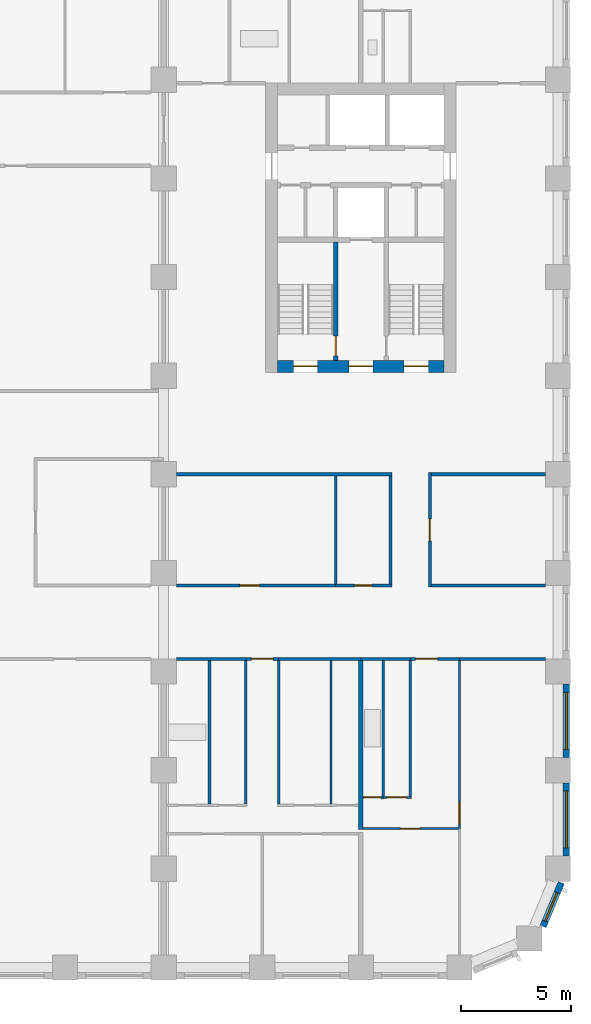
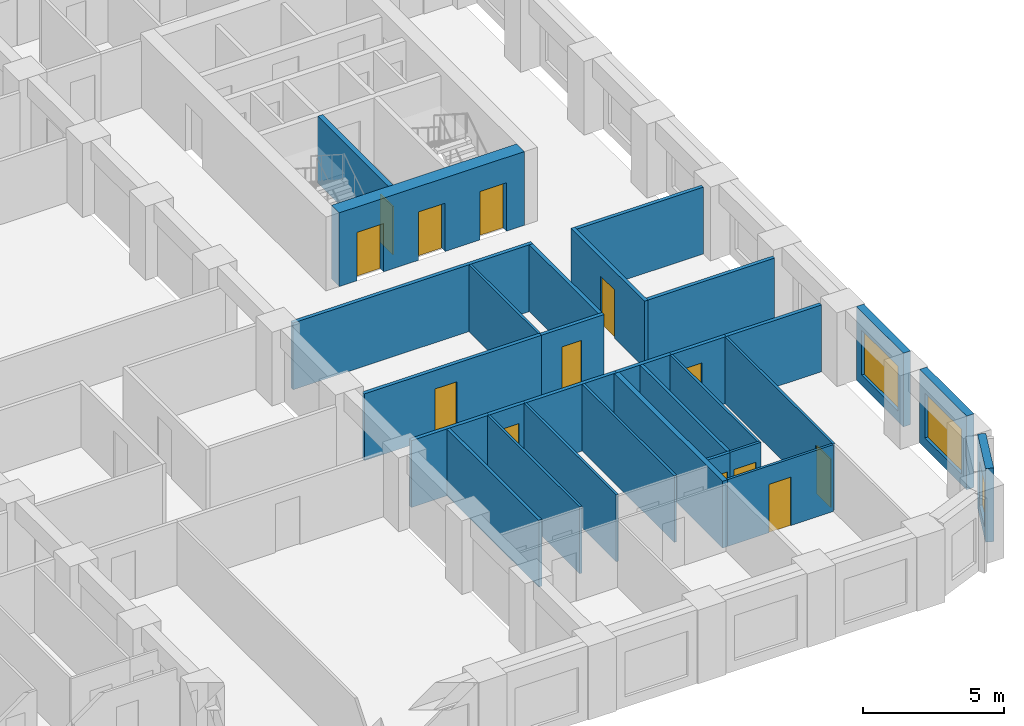
# One storey, part 5 of 12: 30 walls, 13 doors, 3 windows, 16 openings.
"""IFC4 building model written with IfcOpenShell, lengths in metres."""

from ifc_helpers import new_model, si_unit, direction, frame, frame_2d, origin, place, context, subcontext, project, spatial, rectangle, extrude, material, layer, layer_set, type_object, element, fill, save


model = new_model("IFC4")

# Units and contexts
model_context = context("Model", 3, precision=1e-05, world=origin(), true_north=direction((0.0, 1.0)))
body_context = subcontext(model_context, "Body", "Model", "MODEL_VIEW")
ifc_project = project(units=[si_unit("LENGTHUNIT", "METRE"), si_unit("AREAUNIT", "SQUARE_METRE"), si_unit("VOLUMEUNIT", "CUBIC_METRE"), si_unit("PLANEANGLEUNIT", "RADIAN"), si_unit("MASSUNIT", "GRAM", prefix="KILO")], contexts=[model_context])

# Site, building, storey
site_placement = place(None, origin())
site = spatial("IfcSite", under=ifc_project, at=site_placement, CompositionType="ELEMENT")
building_placement = place(site_placement, origin())
building = spatial("IfcBuilding", under=site, at=building_placement, Name="Girih Gate Residences", CompositionType="ELEMENT")
storey_placement = place(building_placement, frame((0.0, 0.0, 115.199951171875)))
storey = spatial("IfcBuildingStorey", under=building, at=storey_placement, Name="L32", CompositionType="ELEMENT", Elevation=115.199951171875)

# Wall
ifc_material_1 = material(Name="Gypsum board on steel studs", Category="steel")
ifc_layer_1 = layer(ifc_material_1, 0.14990234375)
ifc_layer_set_1 = layer_set([ifc_layer_1], Name="Compartment wall 150 mm")
wall_type_1 = type_object("IfcWallType", Name="Compartment wall 150 mm", PredefinedType="PARTITIONING", material=ifc_layer_set_1)
wall_1_placement = place(storey_placement, frame((40.5, 14.074951171875, 0.0), z_axis=(0.0, 0.0, 1.0), x_axis=(1.0, 0.0, 0.0)))
element("IfcWall", 1, at=wall_1_placement, inside=storey, type_object=wall_type_1, Name="L32 partition", PredefinedType="PARTITIONING", context=body_context, shape_type="SweptSolid", body=[
    extrude(rectangle(XDim=2.25, YDim=0.14990234375, at=frame_2d((1.125, 0.0))), origin(), (0.0, 0.0, 1.0), 2.900146484375),
])

# Wall, opening, door
wall_2_placement = place(storey_placement, frame((45.0, 14.074951171875, 0.0), z_axis=(0.0, 0.0, 1.0), x_axis=(-1.0, 0.0, 0.0)))
wall_2 = element("IfcWall", 2, at=wall_2_placement, inside=storey, type_object=wall_type_1, Name="L32 partition", PredefinedType="PARTITIONING", context=body_context, shape_type="SweptSolid", body=[
    extrude(rectangle(XDim=2.25, YDim=0.14990234375, at=frame_2d((1.125, 0.0))), origin(), (0.0, 0.0, 1.0), 2.900146484375),
])
opening_1_placement = place(wall_2_placement, frame((1.0, 0.0, 0.0)))
opening_1 = element("IfcOpeningElement", 3, at=opening_1_placement, cuts=wall_2, Name="Opening A32-021", PredefinedType="OPENING", context=body_context, shape_type="SweptSolid", body=[
    extrude(rectangle(XDim=1.0, YDim=2.10009765625, at=frame_2d((0.5, 1.050048828125))), frame((0.0, 0.0849609375, 0.0), z_axis=(0.0, -1.0, 0.0), x_axis=(1.0, 0.0, 0.0)), (0.0, 0.0, 1.0), 0.169921875),
])
ifc_material_2 = material(Name="Timber, fire-rated core", Category="wood")
door_type_1 = type_object("IfcDoorType", Name="Flat entrance door 1000x2100 FD30S", OperationType="NOTDEFINED", PredefinedType="DOOR", material=ifc_material_2)
door_1_placement = place(opening_1_placement, origin())
door_1 = element("IfcDoor", 4, at=door_1_placement, inside=storey, type_object=door_type_1, Name="Door A32-021", OperationType="SINGLE_SWING_RIGHT", OverallHeight=2.10009765625, OverallWidth=1.0, PredefinedType="DOOR", context=body_context, shape_type="SweptSolid", body=[
    extrude(rectangle(XDim=1.0, YDim=2.10009765625, at=frame_2d((0.5, 1.050048828125))), frame((0.0, 0.02490234375, 0.0), z_axis=(0.0, -1.0, 0.0), x_axis=(1.0, 0.0, 0.0)), (0.0, 0.0, 1.0), 0.050048828125),
])
fill(opening_1, door_1)

# Walls
wall_3_placement = place(storey_placement, frame((45.0, 14.074951171875, 0.0), z_axis=(0.0, 0.0, 1.0), x_axis=(1.0, 0.0, 0.0)))
element("IfcWall", 5, at=wall_3_placement, inside=storey, type_object=wall_type_1, Name="L32 partition", PredefinedType="PARTITIONING", context=body_context, shape_type="SweptSolid", body=[
    extrude(rectangle(XDim=3.925048828125, YDim=0.14990234375, at=frame_2d((1.96240234375, 0.0))), origin(), (0.0, 0.0, 1.0), 2.900146484375),
])
wall_4_placement = place(storey_placement, frame((32.074951171875, 14.074951171875, 0.0), z_axis=(0.0, 0.0, 1.0), x_axis=(1.0, 0.0, 0.0)))
element("IfcWall", 6, at=wall_4_placement, inside=storey, type_object=wall_type_1, Name="L32 partition", PredefinedType="PARTITIONING", context=body_context, shape_type="SweptSolid", body=[
    extrude(rectangle(XDim=3.175048828125, YDim=0.14990234375, at=frame_2d((1.58740234375, 0.0))), origin(), (0.0, 0.0, 1.0), 2.900146484375),
])

# Wall, opening, door
wall_5_placement = place(storey_placement, frame((36.75, 14.074951171875, 0.0), z_axis=(0.0, 0.0, 1.0), x_axis=(-1.0, 0.0, 0.0)))
wall_5 = element("IfcWall", 7, at=wall_5_placement, inside=storey, type_object=wall_type_1, Name="L32 partition", PredefinedType="PARTITIONING", context=body_context, shape_type="SweptSolid", body=[
    extrude(rectangle(XDim=1.5, YDim=0.14990234375, at=frame_2d((0.75, 0.0))), origin(), (0.0, 0.0, 1.0), 2.900146484375),
])
opening_2_placement = place(wall_5_placement, frame((0.25, 0.0, 0.0)))
opening_2 = element("IfcOpeningElement", 8, at=opening_2_placement, cuts=wall_5, Name="Opening A32-028", PredefinedType="OPENING", context=body_context, shape_type="SweptSolid", body=[
    extrude(rectangle(XDim=1.0, YDim=2.10009765625, at=frame_2d((0.5, 1.050048828125))), frame((0.0, 0.0849609375, 0.0), z_axis=(0.0, -1.0, 0.0), x_axis=(1.0, 0.0, 0.0)), (0.0, 0.0, 1.0), 0.169921875),
])
door_2_placement = place(opening_2_placement, origin())
door_2 = element("IfcDoor", 9, at=door_2_placement, inside=storey, type_object=door_type_1, Name="Door A32-028", OperationType="SINGLE_SWING_RIGHT", OverallHeight=2.10009765625, OverallWidth=1.0, PredefinedType="DOOR", context=body_context, shape_type="SweptSolid", body=[
    extrude(rectangle(XDim=1.0, YDim=2.10009765625, at=frame_2d((0.5, 1.050048828125))), frame((0.0, 0.02490234375, 0.0), z_axis=(0.0, -1.0, 0.0), x_axis=(1.0, 0.0, 0.0)), (0.0, 0.0, 1.0), 0.050048828125),
])
fill(opening_2, door_2)

# Wall
wall_6_placement = place(storey_placement, frame((36.75, 14.074951171875, 0.0), z_axis=(0.0, 0.0, 1.0), x_axis=(1.0, 0.0, 0.0)))
element("IfcWall", 10, at=wall_6_placement, inside=storey, type_object=wall_type_1, Name="L32 partition", PredefinedType="PARTITIONING", context=body_context, shape_type="SweptSolid", body=[
    extrude(rectangle(XDim=3.75, YDim=0.14990234375, at=frame_2d((1.875, 0.0))), origin(), (0.0, 0.0, 1.0), 2.900146484375),
])

# Wall, opening, door
wall_7_placement = place(storey_placement, frame((32.074951171875, 17.425048828125, 0.0), z_axis=(0.0, 0.0, 1.0), x_axis=(1.0, 0.0, 0.0)))
wall_7 = element("IfcWall", 11, at=wall_7_placement, inside=storey, type_object=wall_type_1, Name="L32 partition", PredefinedType="PARTITIONING", context=body_context, shape_type="SweptSolid", body=[
    extrude(rectangle(XDim=7.275146484375, YDim=0.14990234375, at=frame_2d((3.6376953125, 0.0))), origin(), (0.0, 0.0, 1.0), 2.900146484375),
])
opening_3_placement = place(wall_7_placement, frame((2.89990234375, 0.0, 0.0)))
opening_3 = element("IfcOpeningElement", 12, at=opening_3_placement, cuts=wall_7, Name="Opening A32-048", PredefinedType="OPENING", context=body_context, shape_type="SweptSolid", body=[
    extrude(rectangle(XDim=0.89990234375, YDim=2.10009765625, at=frame_2d((0.449951171875, 1.050048828125))), frame((0.0, 0.0849609375, 0.0), z_axis=(0.0, -1.0, 0.0), x_axis=(1.0, 0.0, 0.0)), (0.0, 0.0, 1.0), 0.169921875),
])
ifc_material_3 = material(Name="Timber", Category="wood")
door_type_2 = type_object("IfcDoorType", Name="Service room door 900x2100", OperationType="NOTDEFINED", PredefinedType="DOOR", material=ifc_material_3)
door_3_placement = place(opening_3_placement, origin())
door_3 = element("IfcDoor", 13, at=door_3_placement, inside=storey, type_object=door_type_2, Name="Door A32-048", OperationType="SINGLE_SWING_LEFT", OverallHeight=2.10009765625, OverallWidth=0.89990234375, PredefinedType="DOOR", context=body_context, shape_type="SweptSolid", body=[
    extrude(rectangle(XDim=0.89990234375, YDim=2.10009765625, at=frame_2d((0.449951171875, 1.050048828125))), frame((0.0, 0.02490234375, 0.0), z_axis=(0.0, -1.0, 0.0), x_axis=(1.0, 0.0, 0.0)), (0.0, 0.0, 1.0), 0.050048828125),
])
fill(opening_3, door_3)

wall_8_placement = place(storey_placement, frame((39.35009765625, 17.425048828125, 0.0), z_axis=(0.0, 0.0, 1.0), x_axis=(1.0, 0.0, 0.0)))
wall_8 = element("IfcWall", 14, at=wall_8_placement, inside=storey, type_object=wall_type_1, Name="L32 partition", PredefinedType="PARTITIONING", context=body_context, shape_type="SweptSolid", body=[
    extrude(rectangle(XDim=2.574951171875, YDim=0.14990234375, at=frame_2d((1.28759765625, 0.0))), origin(), (0.0, 0.0, 1.0), 2.900146484375),
])
opening_4_placement = place(wall_8_placement, frame((0.85009765625, 0.0, 0.0)))
opening_4 = element("IfcOpeningElement", 15, at=opening_4_placement, cuts=wall_8, Name="Opening A32-050", PredefinedType="OPENING", context=body_context, shape_type="SweptSolid", body=[
    extrude(rectangle(XDim=0.800048828125, YDim=2.10009765625, at=frame_2d((0.39990234375, 1.050048828125))), frame((0.0, 0.0849609375, 0.0), z_axis=(0.0, -1.0, 0.0), x_axis=(1.0, 0.0, 0.0)), (0.0, 0.0, 1.0), 0.169921875),
])
door_type_3 = type_object("IfcDoorType", Name="Bathroom door 800x2100", OperationType="NOTDEFINED", PredefinedType="DOOR", material=ifc_material_3)
door_4_placement = place(opening_4_placement, origin())
door_4 = element("IfcDoor", 16, at=door_4_placement, inside=storey, type_object=door_type_3, Name="Door A32-050", OperationType="SINGLE_SWING_LEFT", OverallHeight=2.10009765625, OverallWidth=0.800048828125, PredefinedType="DOOR", context=body_context, shape_type="SweptSolid", body=[
    extrude(rectangle(XDim=0.800048828125, YDim=2.10009765625, at=frame_2d((0.39990234375, 1.050048828125))), frame((0.0, 0.02490234375, 0.0), z_axis=(0.0, -1.0, 0.0), x_axis=(1.0, 0.0, 0.0)), (0.0, 0.0, 1.0), 0.050048828125),
])
fill(opening_4, door_4)

# Walls
wall_9_placement = place(storey_placement, frame((43.72509765625, 17.425048828125, 0.0), z_axis=(0.0, 0.0, 1.0), x_axis=(1.0, 0.0, 0.0)))
element("IfcWall", 17, at=wall_9_placement, inside=storey, type_object=wall_type_1, Name="L32 partition", PredefinedType="PARTITIONING", context=body_context, shape_type="SweptSolid", body=[
    extrude(rectangle(XDim=5.199951171875, YDim=0.14990234375, at=frame_2d((2.60009765625, 0.0))), origin(), (0.0, 0.0, 1.0), 2.900146484375),
])
wall_10_placement = place(storey_placement, frame((32.074951171875, 22.5, 0.0), z_axis=(0.0, 0.0, 1.0), x_axis=(1.0, 0.0, 0.0)))
element("IfcWall", 18, at=wall_10_placement, inside=storey, type_object=wall_type_1, Name="L32 partition", PredefinedType="PARTITIONING", context=body_context, shape_type="SweptSolid", body=[
    extrude(rectangle(XDim=9.85009765625, YDim=0.14990234375, at=frame_2d((4.925048828125, 0.0))), origin(), (0.0, 0.0, 1.0), 2.900146484375),
])
wall_11_placement = place(storey_placement, frame((43.72509765625, 22.5, 0.0), z_axis=(0.0, 0.0, 1.0), x_axis=(1.0, 0.0, 0.0)))
element("IfcWall", 19, at=wall_11_placement, inside=storey, type_object=wall_type_1, Name="L32 partition", PredefinedType="PARTITIONING", context=body_context, shape_type="SweptSolid", body=[
    extrude(rectangle(XDim=5.199951171875, YDim=0.14990234375, at=frame_2d((2.60009765625, 0.0))), origin(), (0.0, 0.0, 1.0), 2.900146484375),
])
wall_12_placement = place(storey_placement, frame((41.85009765625, 17.5, 0.0), z_axis=(0.0, 0.0, 1.0), x_axis=(0.0, 1.0, 0.0)))
element("IfcWall", 20, at=wall_12_placement, inside=storey, type_object=wall_type_1, Name="L32 partition", PredefinedType="PARTITIONING", context=body_context, shape_type="SweptSolid", body=[
    extrude(rectangle(XDim=4.925048828125, YDim=0.14990234375, at=frame_2d((2.46240234375, 0.0))), origin(), (0.0, 0.0, 1.0), 2.900146484375),
])

# Wall, opening, door
wall_13_placement = place(storey_placement, frame((43.64990234375, 22.574951171875, 0.0), z_axis=(0.0, 0.0, 1.0), x_axis=(0.0, -1.0, 0.0)))
wall_13 = element("IfcWall", 21, at=wall_13_placement, inside=storey, type_object=wall_type_1, Name="L32 partition", PredefinedType="PARTITIONING", context=body_context, shape_type="SweptSolid", body=[
    extrude(rectangle(XDim=5.224853515625, YDim=0.14990234375, at=frame_2d((2.6123046875, 0.0))), origin(), (0.0, 0.0, 1.0), 2.900146484375),
])
opening_5_placement = place(wall_13_placement, frame((2.112548828125, 0.0, 0.0)))
opening_5 = element("IfcOpeningElement", 22, at=opening_5_placement, cuts=wall_13, Name="Opening A32-052", PredefinedType="OPENING", context=body_context, shape_type="SweptSolid", body=[
    extrude(rectangle(XDim=1.0, YDim=2.10009765625, at=frame_2d((0.5, 1.050048828125))), frame((0.0, 0.0849609375, 0.0), z_axis=(0.0, -1.0, 0.0), x_axis=(1.0, 0.0, 0.0)), (0.0, 0.0, 1.0), 0.169921875),
])
door_type_4 = type_object("IfcDoorType", Name="Amenity room door 1000x2100 FD30S", OperationType="NOTDEFINED", PredefinedType="DOOR", material=ifc_material_2)
door_5_placement = place(opening_5_placement, origin())
door_5 = element("IfcDoor", 23, at=door_5_placement, inside=storey, type_object=door_type_4, Name="Door A32-052", OperationType="SINGLE_SWING_RIGHT", OverallHeight=2.10009765625, OverallWidth=1.0, PredefinedType="DOOR", context=body_context, shape_type="SweptSolid", body=[
    extrude(rectangle(XDim=1.0, YDim=2.10009765625, at=frame_2d((0.5, 1.050048828125))), frame((0.0, 0.02490234375, 0.0), z_axis=(0.0, -1.0, 0.0), x_axis=(1.0, 0.0, 0.0)), (0.0, 0.0, 1.0), 0.050048828125),
])
fill(opening_5, door_5)

# Wall, openings, doors
ifc_material_4 = material(Name="Concrete C60/75", Category="concrete")
ifc_layer_2 = layer(ifc_material_4, 0.550048828125)
ifc_layer_set_2 = layer_set([ifc_layer_2], Name="Core wall RC 550 Concrete C60/75")
wall_type_2 = type_object("IfcWallType", Name="Core wall RC 550 Concrete C60/75", PredefinedType="SOLIDWALL", material=ifc_layer_set_2)
wall_14_placement = place(storey_placement, frame((36.699951171875, 27.425048828125, 0.0), z_axis=(0.0, 0.0, 1.0), x_axis=(1.0, 0.0, 0.0)))
wall_14 = element("IfcWall", 24, at=wall_14_placement, inside=storey, type_object=wall_type_2, Name="Core wall E-S L32", PredefinedType="SOLIDWALL", context=body_context, shape_type="SweptSolid", body=[
    extrude(rectangle(XDim=7.60009765625, YDim=0.550048828125, at=frame_2d((3.800048828125, 0.0))), origin(), (0.0, 0.0, 1.0), 3.199951171875),
])
opening_6_placement = place(wall_14_placement, frame((5.77490234375, 0.0, 0.0)))
opening_6 = element("IfcOpeningElement", 25, at=opening_6_placement, cuts=wall_14, Name="Opening D-L32-E-011", PredefinedType="OPENING", context=body_context, shape_type="SweptSolid", body=[
    extrude(rectangle(XDim=1.10009765625, YDim=2.10009765625, at=frame_2d((0.550048828125, 1.050048828125))), frame((0.0, 0.284912109375, 0.0), z_axis=(0.0, -1.0, 0.0), x_axis=(1.0, 0.0, 0.0)), (0.0, 0.0, 1.0), 0.570068359375),
])
opening_7_placement = place(wall_14_placement, frame((3.25, 0.0, 0.0)))
opening_7 = element("IfcOpeningElement", 26, at=opening_7_placement, cuts=wall_14, Name="Opening D-L32-E-012", PredefinedType="OPENING", context=body_context, shape_type="SweptSolid", body=[
    extrude(rectangle(XDim=1.10009765625, YDim=2.10009765625, at=frame_2d((0.550048828125, 1.050048828125))), frame((0.0, 0.284912109375, 0.0), z_axis=(0.0, -1.0, 0.0), x_axis=(1.0, 0.0, 0.0)), (0.0, 0.0, 1.0), 0.570068359375),
])
opening_8_placement = place(wall_14_placement, frame((0.72509765625, 0.0, 0.0)))
opening_8 = element("IfcOpeningElement", 27, at=opening_8_placement, cuts=wall_14, Name="Opening D-L32-E-013", PredefinedType="OPENING", context=body_context, shape_type="SweptSolid", body=[
    extrude(rectangle(XDim=1.10009765625, YDim=2.10009765625, at=frame_2d((0.550048828125, 1.050048828125))), frame((0.0, 0.284912109375, 0.0), z_axis=(0.0, -1.0, 0.0), x_axis=(1.0, 0.0, 0.0)), (0.0, 0.0, 1.0), 0.570068359375),
])
ifc_material_5 = material(Name="Painted steel, fire-resisting", Category="steel")
door_type_5 = type_object("IfcDoorType", Name="Fire door 1100x2100", OperationType="SINGLE_SWING_LEFT", PredefinedType="DOOR", material=ifc_material_5)
door_6_placement = place(opening_6_placement, origin())
door_6 = element("IfcDoor", 28, at=door_6_placement, inside=storey, type_object=door_type_5, Name="L32 E core door sta-out", OperationType="SINGLE_SWING_LEFT", OverallHeight=2.10009765625, OverallWidth=1.10009765625, PredefinedType="DOOR", context=body_context, shape_type="SweptSolid", body=[
    extrude(rectangle(XDim=1.10009765625, YDim=2.10009765625, at=frame_2d((0.550048828125, 1.050048828125))), frame((0.0, 0.02490234375, 0.0), z_axis=(0.0, -1.0, 0.0), x_axis=(1.0, 0.0, 0.0)), (0.0, 0.0, 1.0), 0.050048828125),
])
fill(opening_6, door_6)
door_7_placement = place(opening_7_placement, origin())
door_7 = element("IfcDoor", 29, at=door_7_placement, inside=storey, type_object=door_type_5, Name="L32 E core door ffl-out", OperationType="SINGLE_SWING_LEFT", OverallHeight=2.10009765625, OverallWidth=1.10009765625, PredefinedType="DOOR", context=body_context, shape_type="SweptSolid", body=[
    extrude(rectangle(XDim=1.10009765625, YDim=2.10009765625, at=frame_2d((0.550048828125, 1.050048828125))), frame((0.0, 0.02490234375, 0.0), z_axis=(0.0, -1.0, 0.0), x_axis=(1.0, 0.0, 0.0)), (0.0, 0.0, 1.0), 0.050048828125),
])
fill(opening_7, door_7)
door_8_placement = place(opening_8_placement, origin())
door_8 = element("IfcDoor", 30, at=door_8_placement, inside=storey, type_object=door_type_5, Name="L32 E core door stb-out", OperationType="SINGLE_SWING_LEFT", OverallHeight=2.10009765625, OverallWidth=1.10009765625, PredefinedType="DOOR", context=body_context, shape_type="SweptSolid", body=[
    extrude(rectangle(XDim=1.10009765625, YDim=2.10009765625, at=frame_2d((0.550048828125, 1.050048828125))), frame((0.0, 0.02490234375, 0.0), z_axis=(0.0, -1.0, 0.0), x_axis=(1.0, 0.0, 0.0)), (0.0, 0.0, 1.0), 0.050048828125),
])
fill(opening_8, door_8)

# Wall, opening, door
ifc_layer_3 = layer(ifc_material_1, 0.10009765625)
ifc_layer_set_3 = layer_set([ifc_layer_3], Name="Partition 100 mm")
wall_type_3 = type_object("IfcWallType", Name="Partition 100 mm", PredefinedType="PARTITIONING", material=ifc_layer_set_3)
wall_15_placement = place(storey_placement, frame((44.949951171875, 6.3349609375, 0.0), z_axis=(0.0, 0.0, 1.0), x_axis=(-1.0, 0.0, 0.0)))
wall_15 = element("IfcWall", 31, at=wall_15_placement, inside=storey, type_object=wall_type_3, Name="L32 partition", PredefinedType="PARTITIONING", context=body_context, shape_type="SweptSolid", body=[
    extrude(rectangle(XDim=4.349853515625, YDim=0.10009765625, at=frame_2d((2.1748046875, 0.0))), origin(), (0.0, 0.0, 1.0), 2.900146484375),
])
opening_9_placement = place(wall_15_placement, frame((1.75, 0.0, 0.0)))
opening_9 = element("IfcOpeningElement", 32, at=opening_9_placement, cuts=wall_15, Name="Opening A32-018", PredefinedType="OPENING", context=body_context, shape_type="SweptSolid", body=[
    extrude(rectangle(XDim=0.89990234375, YDim=2.10009765625, at=frame_2d((0.449951171875, 1.050048828125))), frame((0.0, 0.06005859375, 0.0), z_axis=(0.0, -1.0, 0.0), x_axis=(1.0, 0.0, 0.0)), (0.0, 0.0, 1.0), 0.1201171875),
])
door_type_6 = type_object("IfcDoorType", Name="Bedroom door 900x2100", OperationType="NOTDEFINED", PredefinedType="DOOR", material=ifc_material_3)
door_9_placement = place(opening_9_placement, origin())
door_9 = element("IfcDoor", 33, at=door_9_placement, inside=storey, type_object=door_type_6, Name="Door A32-018", OperationType="SINGLE_SWING_RIGHT", OverallHeight=2.10009765625, OverallWidth=0.89990234375, PredefinedType="DOOR", context=body_context, shape_type="SweptSolid", body=[
    extrude(rectangle(XDim=0.89990234375, YDim=2.10009765625, at=frame_2d((0.449951171875, 1.050048828125))), frame((0.0, 0.02490234375, 0.0), z_axis=(0.0, -1.0, 0.0), x_axis=(1.0, 0.0, 0.0)), (0.0, 0.0, 1.0), 0.050048828125),
])
fill(opening_9, door_9)

wall_16_placement = place(storey_placement, frame((41.522705078125, 7.7548828125, 0.0), z_axis=(0.0, 0.0, 1.0), x_axis=(1.0, 0.0, 0.0)))
wall_16 = element("IfcWall", 34, at=wall_16_placement, inside=storey, type_object=wall_type_3, Name="L32 partition", PredefinedType="PARTITIONING", context=body_context, shape_type="SweptSolid", body=[
    extrude(rectangle(XDim=1.27734375, YDim=0.10009765625, at=frame_2d((0.638671875, 0.0))), origin(), (0.0, 0.0, 1.0), 2.900146484375),
])
opening_10_placement = place(wall_16_placement, frame((0.16357421875, 0.0, 0.0)))
opening_10 = element("IfcOpeningElement", 35, at=opening_10_placement, cuts=wall_16, Name="Opening A32-019", PredefinedType="OPENING", context=body_context, shape_type="SweptSolid", body=[
    extrude(rectangle(XDim=0.89990234375, YDim=2.10009765625, at=frame_2d((0.449951171875, 1.050048828125))), frame((0.0, 0.06005859375, 0.0), z_axis=(0.0, -1.0, 0.0), x_axis=(1.0, 0.0, 0.0)), (0.0, 0.0, 1.0), 0.1201171875),
])
door_type_7 = type_object("IfcDoorType", Name="Kitchen door 900x2100", OperationType="NOTDEFINED", PredefinedType="DOOR", material=ifc_material_3)
door_10_placement = place(opening_10_placement, origin())
door_10 = element("IfcDoor", 36, at=door_10_placement, inside=storey, type_object=door_type_7, Name="Door A32-019", OperationType="SINGLE_SWING_LEFT", OverallHeight=2.10009765625, OverallWidth=0.89990234375, PredefinedType="DOOR", context=body_context, shape_type="SweptSolid", body=[
    extrude(rectangle(XDim=0.89990234375, YDim=2.10009765625, at=frame_2d((0.449951171875, 1.050048828125))), frame((0.0, 0.02490234375, 0.0), z_axis=(0.0, -1.0, 0.0), x_axis=(1.0, 0.0, 0.0)), (0.0, 0.0, 1.0), 0.050048828125),
])
fill(opening_10, door_10)

# Wall
wall_17_placement = place(storey_placement, frame((42.75, 7.804931640625, 0.0), z_axis=(0.0, 0.0, 1.0), x_axis=(0.0, 1.0, 0.0)))
element("IfcWall", 37, at=wall_17_placement, inside=storey, type_object=wall_type_3, Name="L32 partition", PredefinedType="PARTITIONING", context=body_context, shape_type="SweptSolid", body=[
    extrude(rectangle(XDim=6.195068359375, YDim=0.10009765625, at=frame_2d((3.09765625, 0.0))), origin(), (0.0, 0.0, 1.0), 2.900146484375),
])

# Wall, opening, door
wall_18_placement = place(storey_placement, frame((45.0, 14.0, 0.0), z_axis=(0.0, 0.0, 1.0), x_axis=(0.0, -1.0, 0.0)))
wall_18 = element("IfcWall", 38, at=wall_18_placement, inside=storey, type_object=wall_type_3, Name="L32 partition", PredefinedType="PARTITIONING", context=body_context, shape_type="SweptSolid", body=[
    extrude(rectangle(XDim=7.6650390625, YDim=0.10009765625, at=frame_2d((3.83251953125, 0.0))), origin(), (0.0, 0.0, 1.0), 2.900146484375),
])
opening_11_placement = place(wall_18_placement, frame((6.455078125, 0.0, 0.0)))
opening_11 = element("IfcOpeningElement", 39, at=opening_11_placement, cuts=wall_18, Name="Opening A32-020", PredefinedType="OPENING", context=body_context, shape_type="SweptSolid", body=[
    extrude(rectangle(XDim=1.0, YDim=2.10009765625, at=frame_2d((0.5, 1.050048828125))), frame((0.0, 0.06005859375, 0.0), z_axis=(0.0, -1.0, 0.0), x_axis=(1.0, 0.0, 0.0)), (0.0, 0.0, 1.0), 0.1201171875),
])
door_type_8 = type_object("IfcDoorType", Name="Living room door 1000x2100", OperationType="NOTDEFINED", PredefinedType="DOOR", material=ifc_material_3)
door_11_placement = place(opening_11_placement, origin())
door_11 = element("IfcDoor", 40, at=door_11_placement, inside=storey, type_object=door_type_8, Name="Door A32-020", OperationType="SINGLE_SWING_RIGHT", OverallHeight=2.10009765625, OverallWidth=1.0, PredefinedType="DOOR", context=body_context, shape_type="SweptSolid", body=[
    extrude(rectangle(XDim=1.0, YDim=2.10009765625, at=frame_2d((0.5, 1.050048828125))), frame((0.0, 0.02490234375, 0.0), z_axis=(0.0, -1.0, 0.0), x_axis=(1.0, 0.0, 0.0)), (0.0, 0.0, 1.0), 0.050048828125),
])
fill(opening_11, door_11)

# Walls
for number, where, z_axis, x_axis, name in (
    (41, (36.75, 7.445068359375, 0.0), (0.0, 0.0, 1.0), (0.0, 1.0, 0.0), "L32 partition"),
    (42, (35.25, 7.445068359375, 0.0), (0.0, 0.0, 1.0), (0.0, 1.0, 0.0), "L32 partition"),
    (43, (39.133056640625, 7.445068359375, 0.0), (0.0, 0.0, 1.0), (0.0, 1.0, 0.0), "L32 partition"),
):
    element("IfcWall", number, at=place(storey_placement, frame(where, z_axis=z_axis, x_axis=x_axis)), inside=storey, type_object=wall_type_3, Name=name, PredefinedType="PARTITIONING", context=body_context, shape_type="SweptSolid", body=[
        extrude(rectangle(XDim=6.554931640625, YDim=0.10009765625, at=frame_2d((3.27734375, 0.0))), origin(), (0.0, 0.0, 1.0), 2.900146484375),
    ])
wall_19_placement = place(storey_placement, frame((39.35009765625, 17.5, 0.0), z_axis=(0.0, 0.0, 1.0), x_axis=(0.0, 1.0, 0.0)))
element("IfcWall", 44, at=wall_19_placement, inside=storey, type_object=wall_type_3, Name="L32 partition", PredefinedType="PARTITIONING", context=body_context, shape_type="SweptSolid", body=[
    extrude(rectangle(XDim=4.925048828125, YDim=0.10009765625, at=frame_2d((2.46240234375, 0.0))), origin(), (0.0, 0.0, 1.0), 2.900146484375),
])
ifc_layer_4 = layer(ifc_material_1, 0.199951171875)
ifc_layer_set_4 = layer_set([ifc_layer_4], Name="Party wall 200 mm")
wall_type_4 = type_object("IfcWallType", Name="Party wall 200 mm", PredefinedType="PARTITIONING", material=ifc_layer_set_4)
wall_20_placement = place(storey_placement, frame((40.5, 6.284912109375, 0.0), z_axis=(0.0, 0.0, 1.0), x_axis=(0.0, 1.0, 0.0)))
element("IfcWall", 45, at=wall_20_placement, inside=storey, type_object=wall_type_4, Name="L32 partition", PredefinedType="PARTITIONING", context=body_context, shape_type="SweptSolid", body=[
    extrude(rectangle(XDim=7.715087890625, YDim=0.199951171875, at=frame_2d((3.857421875, 0.0))), origin(), (0.0, 0.0, 1.0), 2.900146484375),
])

# Wall, opening, window
ifc_material_6 = material(Name="Precast concrete C50/60", Category="concrete")
ifc_layer_5 = layer(ifc_material_6, 0.080078125, Name="Outer leaf")
ifc_material_7 = material(Name="Rigid PIR insulation")
ifc_layer_6 = layer(ifc_material_7, 0.14990234375, Name="Insulation")
ifc_material_8 = material(Name="Precast concrete C40/50", Category="concrete")
ifc_layer_7 = layer(ifc_material_8, 0.070068359375, Name="Inner leaf")
ifc_layer_set_5 = layer_set([ifc_layer_5, ifc_layer_6, ifc_layer_7], Name="Precast concrete C50/60 external wall 300")
wall_type_5 = type_object("IfcWallType", Name="Precast concrete C50/60 external wall 300", PredefinedType="SOLIDWALL", material=ifc_layer_set_5)
wall_21_placement = place(storey_placement, frame((49.64404296875, 3.86767578125, 0.0), z_axis=(0.0, 0.0, 1.0), x_axis=(-0.382723818695, -0.923862802911, 0.0)))
wall_21 = element("IfcWall", 46, at=wall_21_placement, inside=storey, type_object=wall_type_5, Name="External wall SE0482_0013.0", PredefinedType="SOLIDWALL", context=body_context, shape_type="SweptSolid", body=[
    extrude(rectangle(XDim=2.163818359375, YDim=0.300048828125, at=frame_2d((1.08203125, 0.0))), origin(), (0.0, 0.0, 1.0), 3.199951171875),
])
opening_12_placement = place(wall_21_placement, frame((0.492919921875, 0.0, 0.449951171875)))
opening_12 = element("IfcOpeningElement", 47, at=opening_12_placement, cuts=wall_21, Name="Opening W-2D", PredefinedType="OPENING", context=body_context, shape_type="SweptSolid", body=[
    extrude(rectangle(XDim=1.39990234375, YDim=1.949951171875, at=frame_2d((0.699951171875, 0.97509765625))), frame((0.0, 0.159912109375, 0.0), z_axis=(0.0, -1.0, 0.0), x_axis=(1.0, 0.0, 0.0)), (0.0, 0.0, 1.0), 0.320068359375),
])
ifc_material_9 = material(Name="Double glazing in aluminium frame", Category="aluminium")
window_type_1 = type_object("IfcWindowType", Name="Window W-2D 1400x1950", PartitioningType="SINGLE_PANEL", PredefinedType="WINDOW", material=ifc_material_9)
window_1_placement = place(opening_12_placement, origin())
window_1 = element("IfcWindow", 48, at=window_1_placement, inside=storey, type_object=window_type_1, Name="Window W-2D SE0482_0013.0", OverallHeight=1.949951171875, OverallWidth=1.39990234375, PartitioningType="SINGLE_PANEL", PredefinedType="WINDOW", context=body_context, shape_type="SweptSolid", body=[
    extrude(rectangle(XDim=1.39990234375, YDim=1.949951171875, at=frame_2d((0.699951171875, 0.97509765625))), frame((0.0, 0.030029296875, 0.0), z_axis=(0.0, -1.0, 0.0), x_axis=(1.0, 0.0, 0.0)), (0.0, 0.0, 1.0), 0.06005859375),
])
fill(opening_12, window_1)

wall_22_placement = place(storey_placement, frame((49.875, 8.425048828125, 0.0), z_axis=(0.0, 0.0, 1.0), x_axis=(0.0, -1.0, 0.0)))
wall_22 = element("IfcWall", 49, at=wall_22_placement, inside=storey, type_object=wall_type_5, Name="External wall E0495_0045.0", PredefinedType="SOLIDWALL", context=body_context, shape_type="SweptSolid", body=[
    extrude(rectangle(XDim=3.35009765625, YDim=0.300048828125, at=frame_2d((1.675048828125, 0.0))), origin(), (0.0, 0.0, 1.0), 3.199951171875),
])
opening_13_placement = place(wall_22_placement, frame((0.375, 0.0, 0.449951171875)))
opening_13 = element("IfcOpeningElement", 50, at=opening_13_placement, cuts=wall_22, Name="Opening W-1A", PredefinedType="OPENING", context=body_context, shape_type="SweptSolid", body=[
    extrude(rectangle(XDim=2.60009765625, YDim=1.949951171875, at=frame_2d((1.300048828125, 0.97509765625))), frame((0.0, 0.159912109375, 0.0), z_axis=(0.0, -1.0, 0.0), x_axis=(1.0, 0.0, 0.0)), (0.0, 0.0, 1.0), 0.320068359375),
])
window_type_2 = type_object("IfcWindowType", Name="Window W-1A 2600x1950", PartitioningType="SINGLE_PANEL", PredefinedType="WINDOW", material=ifc_material_9)
window_2_placement = place(opening_13_placement, origin())
window_2 = element("IfcWindow", 51, at=window_2_placement, inside=storey, type_object=window_type_2, Name="Window W-1A E0495_0045.0", OverallHeight=1.949951171875, OverallWidth=2.60009765625, PartitioningType="SINGLE_PANEL", PredefinedType="WINDOW", context=body_context, shape_type="SweptSolid", body=[
    extrude(rectangle(XDim=2.60009765625, YDim=1.949951171875, at=frame_2d((1.300048828125, 0.97509765625))), frame((0.0, 0.030029296875, 0.0), z_axis=(0.0, -1.0, 0.0), x_axis=(1.0, 0.0, 0.0)), (0.0, 0.0, 1.0), 0.06005859375),
])
fill(opening_13, window_2)

wall_23_placement = place(storey_placement, frame((49.875, 12.925048828125, 0.0), z_axis=(0.0, 0.0, 1.0), x_axis=(0.0, -1.0, 0.0)))
wall_23 = element("IfcWall", 52, at=wall_23_placement, inside=storey, type_object=wall_type_5, Name="External wall E0495_0045.1", PredefinedType="SOLIDWALL", context=body_context, shape_type="SweptSolid", body=[
    extrude(rectangle(XDim=3.35009765625, YDim=0.300048828125, at=frame_2d((1.675048828125, 0.0))), origin(), (0.0, 0.0, 1.0), 3.199951171875),
])
opening_14_placement = place(wall_23_placement, frame((0.375, 0.0, 0.449951171875)))
opening_14 = element("IfcOpeningElement", 53, at=opening_14_placement, cuts=wall_23, Name="Opening W-1A", PredefinedType="OPENING", context=body_context, shape_type="SweptSolid", body=[
    extrude(rectangle(XDim=2.60009765625, YDim=1.949951171875, at=frame_2d((1.300048828125, 0.97509765625))), frame((0.0, 0.159912109375, 0.0), z_axis=(0.0, -1.0, 0.0), x_axis=(1.0, 0.0, 0.0)), (0.0, 0.0, 1.0), 0.320068359375),
])
window_3_placement = place(opening_14_placement, origin())
window_3 = element("IfcWindow", 54, at=window_3_placement, inside=storey, type_object=window_type_2, Name="Window W-1A E0495_0045.1", OverallHeight=1.949951171875, OverallWidth=2.60009765625, PartitioningType="SINGLE_PANEL", PredefinedType="WINDOW", context=body_context, shape_type="SweptSolid", body=[
    extrude(rectangle(XDim=2.60009765625, YDim=1.949951171875, at=frame_2d((1.300048828125, 0.97509765625))), frame((0.0, 0.030029296875, 0.0), z_axis=(0.0, -1.0, 0.0), x_axis=(1.0, 0.0, 0.0)), (0.0, 0.0, 1.0), 0.06005859375),
])
fill(opening_14, window_3)

# Wall, opening, door
ifc_material_10 = material(Name="Concrete C40/50", Category="concrete")
ifc_layer_8 = layer(ifc_material_10, 0.199951171875)
ifc_layer_set_6 = layer_set([ifc_layer_8], Name="Shaft wall 200")
wall_type_6 = type_object("IfcWallType", Name="Shaft wall 200", PredefinedType="SOLIDWALL", material=ifc_layer_set_6)
wall_24_placement = place(storey_placement, frame((39.35009765625, 27.699951171875, 0.0), z_axis=(0.0, 0.0, 1.0), x_axis=(0.0, 1.0, 0.0)))
wall_24 = element("IfcWall", 55, at=wall_24_placement, inside=storey, type_object=wall_type_6, Name="L32 E core wall V2a", PredefinedType="SOLIDWALL", context=body_context, shape_type="SweptSolid", body=[
    extrude(rectangle(XDim=5.400146484375, YDim=0.199951171875, at=frame_2d((2.7001953125, 0.0))), origin(), (0.0, 0.0, 1.0), 2.900146484375),
])
opening_15_placement = place(wall_24_placement, frame((0.199951171875, 0.0, 0.0)))
opening_15 = element("IfcOpeningElement", 56, at=opening_15_placement, cuts=wall_24, Name="Opening D-L32-E-002", PredefinedType="OPENING", context=body_context, shape_type="SweptSolid", body=[
    extrude(rectangle(XDim=0.89990234375, YDim=2.10009765625, at=frame_2d((0.449951171875, 1.050048828125))), frame((0.0, 0.10986328125, 0.0), z_axis=(0.0, -1.0, 0.0), x_axis=(1.0, 0.0, 0.0)), (0.0, 0.0, 1.0), 0.219970703125),
])
door_type_9 = type_object("IfcDoorType", Name="Fire door 900x2100", OperationType="SINGLE_SWING_LEFT", PredefinedType="DOOR", material=ifc_material_5)
door_12_placement = place(opening_15_placement, origin())
door_12 = element("IfcDoor", 57, at=door_12_placement, inside=storey, type_object=door_type_9, Name="L32 E door stair 2 to firefighting lobby", OperationType="SINGLE_SWING_LEFT", OverallHeight=2.10009765625, OverallWidth=0.89990234375, PredefinedType="DOOR", context=body_context, shape_type="SweptSolid", body=[
    extrude(rectangle(XDim=0.89990234375, YDim=2.10009765625, at=frame_2d((0.449951171875, 1.050048828125))), frame((0.0, 0.02490234375, 0.0), z_axis=(0.0, -1.0, 0.0), x_axis=(1.0, 0.0, 0.0)), (0.0, 0.0, 1.0), 0.050048828125),
])
fill(opening_15, door_12)

ifc_layer_9 = layer(ifc_material_1, 0.125)
ifc_layer_set_7 = layer_set([ifc_layer_9], Name="Wet room wall 125 mm")
wall_type_7 = type_object("IfcWallType", Name="Wet room wall 125 mm", PredefinedType="PARTITIONING", material=ifc_layer_set_7)
wall_25_placement = place(storey_placement, frame((40.60009765625, 7.7548828125, 0.0), z_axis=(0.0, 0.0, 1.0), x_axis=(1.0, 0.0, 0.0)))
wall_25 = element("IfcWall", 58, at=wall_25_placement, inside=storey, type_object=wall_type_7, Name="L32 partition", PredefinedType="PARTITIONING", context=body_context, shape_type="SweptSolid", body=[
    extrude(rectangle(XDim=0.922607421875, YDim=0.125, at=frame_2d((0.46142578125, 0.0))), origin(), (0.0, 0.0, 1.0), 2.900146484375),
])
opening_16_placement = place(wall_25_placement, frame((0.011474609375, 0.0, 0.0)))
opening_16 = element("IfcOpeningElement", 59, at=opening_16_placement, cuts=wall_25, Name="Opening A32-017", PredefinedType="OPENING", context=body_context, shape_type="SweptSolid", body=[
    extrude(rectangle(XDim=0.800048828125, YDim=2.10009765625, at=frame_2d((0.39990234375, 1.050048828125))), frame((0.0, 0.072509765625, 0.0), z_axis=(0.0, -1.0, 0.0), x_axis=(1.0, 0.0, 0.0)), (0.0, 0.0, 1.0), 0.14501953125),
])
door_13_placement = place(opening_16_placement, origin())
door_13 = element("IfcDoor", 60, at=door_13_placement, inside=storey, type_object=door_type_3, Name="Door A32-017", OperationType="SINGLE_SWING_LEFT", OverallHeight=2.10009765625, OverallWidth=0.800048828125, PredefinedType="DOOR", context=body_context, shape_type="SweptSolid", body=[
    extrude(rectangle(XDim=0.800048828125, YDim=2.10009765625, at=frame_2d((0.39990234375, 1.050048828125))), frame((0.0, 0.02490234375, 0.0), z_axis=(0.0, -1.0, 0.0), x_axis=(1.0, 0.0, 0.0)), (0.0, 0.0, 1.0), 0.050048828125),
])
fill(opening_16, door_13)

# Walls
wall_26_placement = place(storey_placement, frame((41.52294921875, 7.8173828125, 0.0), z_axis=(0.0, 0.0, 1.0), x_axis=(0.0, 1.0, 0.0)))
element("IfcWall", 61, at=wall_26_placement, inside=storey, type_object=wall_type_7, Name="L32 partition", PredefinedType="PARTITIONING", context=body_context, shape_type="SweptSolid", body=[
    extrude(rectangle(XDim=6.1826171875, YDim=0.125, at=frame_2d((3.09130859375, 0.0))), origin(), (0.0, 0.0, 1.0), 2.900146484375),
])
wall_27_placement = place(storey_placement, frame((33.591064453125, 7.45751953125, 0.0), z_axis=(0.0, 0.0, 1.0), x_axis=(0.0, 1.0, 0.0)))
element("IfcWall", 62, at=wall_27_placement, inside=storey, type_object=wall_type_7, Name="L32 partition", PredefinedType="PARTITIONING", context=body_context, shape_type="SweptSolid", body=[
    extrude(rectangle(XDim=6.54248046875, YDim=0.125, at=frame_2d((3.271240234375, 0.0))), origin(), (0.0, 0.0, 1.0), 2.900146484375),
])

save(model, "model.ifc")
